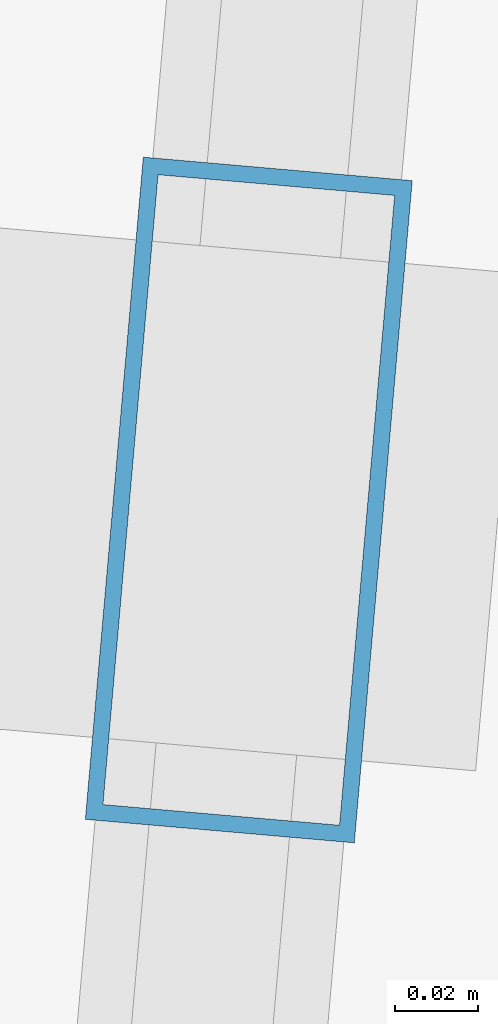
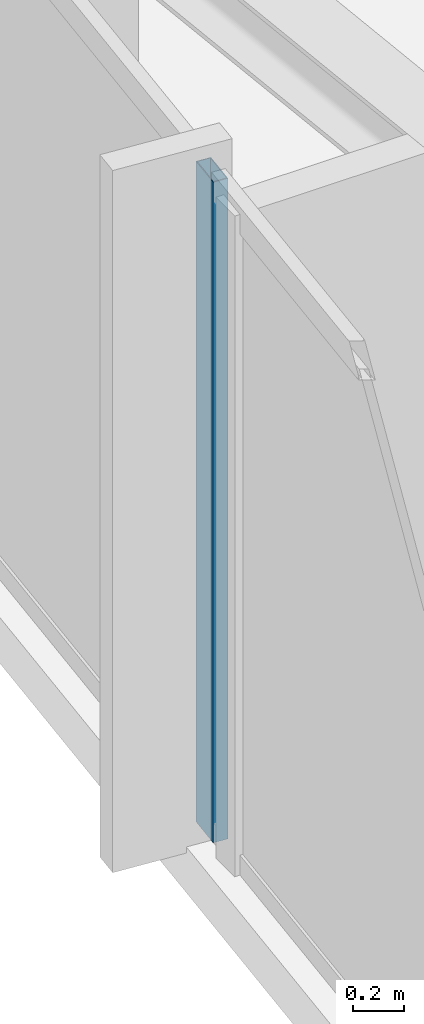
# One storey, part 5 of 32: 1 member, 1 element without a shape of its own.
"""IFC4 building model written with IfcOpenShell, lengths in metres."""

from ifc_helpers import new_model, si_unit, direction, frame, origin, origin_2d, place, context, subcontext, project, spatial, hollow_rectangle, extrude, material, material_profile, profile_set, type_object, element, aggregate, save


model = new_model("IFC4")

# Units and contexts
model_context = context("Model", 3, precision=1e-05, world=origin(), true_north=direction((0.0, 1.0)))
body_context = subcontext(model_context, "Body", "Model", "MODEL_VIEW")
ifc_project = project(units=[si_unit("LENGTHUNIT", "METRE"), si_unit("AREAUNIT", "SQUARE_METRE"), si_unit("VOLUMEUNIT", "CUBIC_METRE"), si_unit("PLANEANGLEUNIT", "RADIAN"), si_unit("MASSUNIT", "GRAM", prefix="KILO")], contexts=[model_context])

# Site, building, storey
site_placement = place(None, origin())
site = spatial("IfcSite", under=ifc_project, at=site_placement, CompositionType="ELEMENT")
building_placement = place(site_placement, origin())
building = spatial("IfcBuilding", under=site, at=building_placement, Name="Yelkora Congress Tower", CompositionType="ELEMENT")
storey_placement = place(building_placement, frame((0.0, 0.0, 269.300048828125)))
storey = spatial("IfcBuildingStorey", under=building, at=storey_placement, Name="L75", CompositionType="ELEMENT", Elevation=269.300048828125)

# Curtain wall, member
ifc_material_1 = material(Name="Anodised aluminium and insulated glass", Category="aluminium")
curtain_wall_type = type_object("IfcCurtainWallType", Name="CW-SYS-B5", PredefinedType="NOTDEFINED", material=ifc_material_1)
curtain_wall_placement = place(storey_placement, origin())
curtain_wall = element("IfcCurtainWall", 1, at=curtain_wall_placement, inside=storey, type_object=curtain_wall_type, Name="L75 Unitised Curtain Wall 5", PredefinedType="NOTDEFINED")
ifc_material_2 = material(Name="Anodised aluminium 6063-T6", Category="aluminium")
ifc_material_profile = material_profile(ifc_material_2, hollow_rectangle(XDim=0.06494140625, YDim=0.159912109375, WallThickness=0.00390625, at=origin_2d()), Name="ALU 65x160x4")
ifc_profile_set = profile_set([ifc_material_profile], Name="Anodised aluminium 6063-T6")
member_type = type_object("IfcMemberType", Name="MEM-ML-B5", PredefinedType="MULLION", material=ifc_profile_set)
member_placement = place(storey_placement, frame((6.313720703125, 28.49658203125, 0.0), z_axis=(0.0, 0.0, 1.0), x_axis=(-0.996194785929, 0.08715473876, 0.0)))
member = element("IfcMember", 2, at=member_placement, type_object=member_type, Name="CW-B5 mullion 2", PredefinedType="MULLION", context=body_context, shape_type="SweptSolid", body=[
    extrude(hollow_rectangle(XDim=0.06494140625, YDim=0.159912109375, WallThickness=0.00390625, at=origin_2d()), origin(), (0.0, 0.0, 1.0), 3.179931640625),
])
aggregate(curtain_wall, [member])

save(model, "model.ifc")
